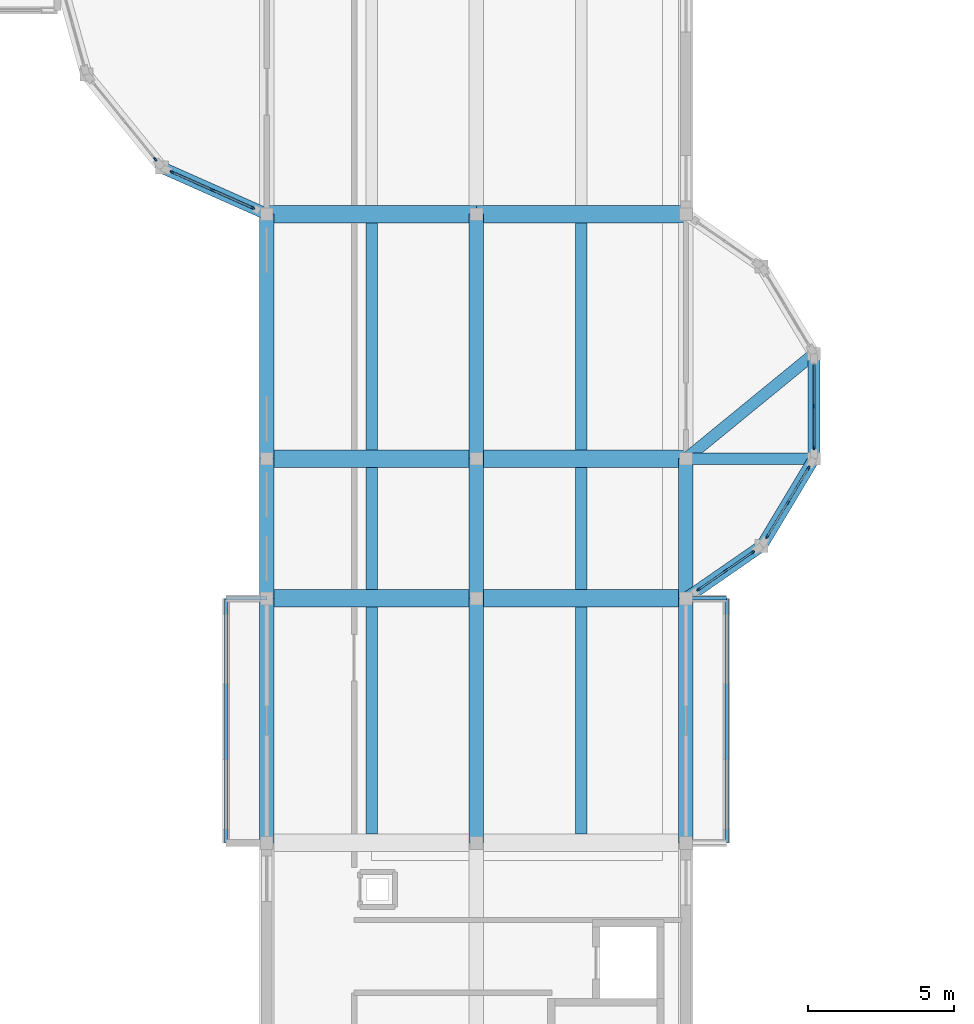
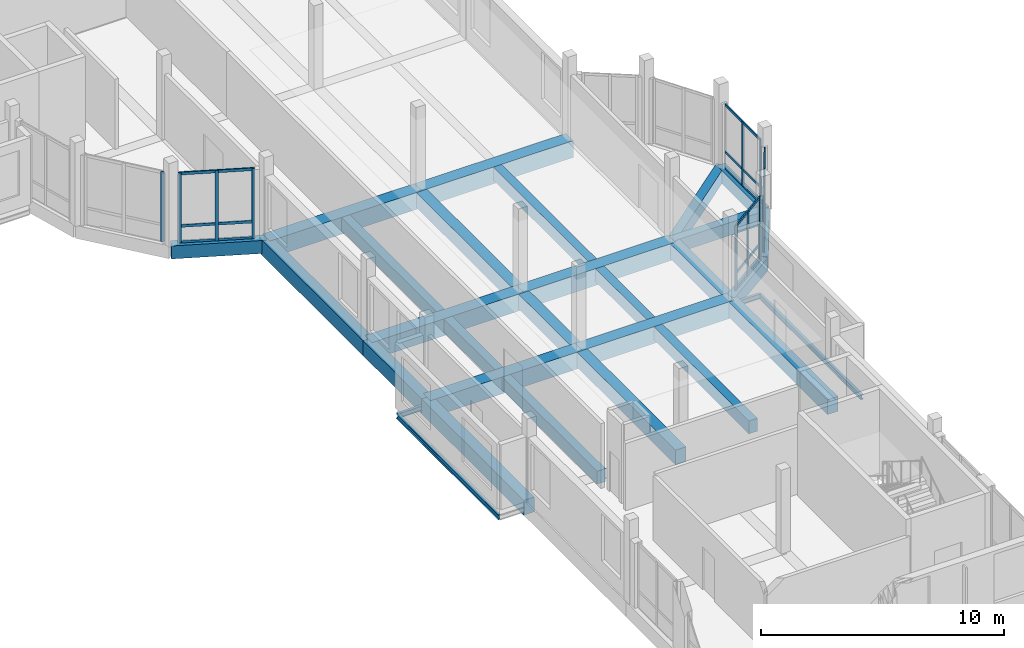
# One storey, part 38 of 99: 30 beams, 24 members, 5 elements without a shape of their own.
"""IFC4 building model written with IfcOpenShell, lengths in metres."""

import ifcopenshell
import ifcopenshell.guid

model = None  # the IFC model being written
_history = None  # IfcOwnerHistory: only IFC2X3 demands one
_inside = {}  # id of a spatial element -> (the spatial element, [elements in it])
_under = {}  # id of a project, library or spatial element -> (it, [spatial elements below it])
_declared = {}  # id of a project -> (the project, [libraries it declares])
_typed = {}  # id of a type object -> (the type object, [elements of that type])
_made_of = {}  # id of a material, layer set ... -> (it, [elements and type objects made of it])


def new_model(schema):
    """Start an empty IFC model of exactly this schema.

    Asked for "IFC4X3", IfcOpenShell would pick the latest addendum, in which some entities
    have other attributes; the version numbers below select the first issue.
    IFC2X3 requires an IfcOwnerHistory on every rooted entity: one is made here for all.
    """
    global model, _history
    if schema == "IFC4X3":
        model = ifcopenshell.file(schema_version=(4, 3, 0, 0))
    else:
        model = ifcopenshell.file(schema=schema)
    _inside.clear()
    _under.clear()
    _declared.clear()
    _typed.clear()
    _made_of.clear()
    _history = None
    if model.schema == "IFC2X3":
        org = make("IfcOrganization", Name="unknown")
        user = make(
            "IfcPersonAndOrganization",
            ThePerson=make("IfcPerson", FamilyName="unknown"),
            TheOrganization=org,
        )
        app = make(
            "IfcApplication",
            ApplicationDeveloper=org,
            Version="unknown",
            ApplicationFullName="unknown",
            ApplicationIdentifier="unknown",
        )
        _history = make(
            "IfcOwnerHistory",
            OwningUser=user,
            OwningApplication=app,
            ChangeAction="ADDED",
            CreationDate=0,
        )
    return model


def make(cls, **values):
    """One entity of the class cls with the attributes given. An attribute that is None is left unset."""
    return model.create_entity(
        cls, **{name: value for name, value in values.items() if value is not None}
    )


def rooted(cls, **values):
    """An entity with a GlobalId (a new one), such as an element, a storey or a relation."""
    return make(cls, GlobalId=ifcopenshell.guid.new(), OwnerHistory=_history, **values)


def si_unit(unit_type, name, prefix=None):
    """IfcSIUnit, for example si_unit("LENGTHUNIT", "METRE", prefix="MILLI")."""
    return make("IfcSIUnit", UnitType=unit_type, Prefix=prefix, Name=name)


def assignment(units):
    """IfcUnitAssignment: the units of a project."""
    return None if units is None else make("IfcUnitAssignment", Units=units)


def point(xyz):
    """IfcCartesianPoint."""
    return None if xyz is None else make("IfcCartesianPoint", Coordinates=xyz)


def direction(xyz):
    """IfcDirection."""
    return None if xyz is None else make("IfcDirection", DirectionRatios=xyz)


def frame(location, z_axis=None, x_axis=None):
    """IfcAxis2Placement3D, a coordinate frame: its origin and axes. An axis left out is left unset."""
    return make(
        "IfcAxis2Placement3D",
        Location=point(location),
        Axis=direction(z_axis),
        RefDirection=direction(x_axis),
    )


def frame_2d(location, x_axis=None):
    """IfcAxis2Placement2D, a coordinate frame in the plane: its origin and x axis."""
    return make(
        "IfcAxis2Placement2D", Location=point(location), RefDirection=direction(x_axis)
    )


def origin():
    """The frame at (0, 0, 0) with its axes left unset."""
    return frame((0.0, 0.0, 0.0))


def origin_2d():
    """The frame at (0, 0) in the plane with its x axis left unset."""
    return frame_2d((0.0, 0.0))


def place(relative_to, where):
    """IfcLocalPlacement: puts the frame where relative to a parent placement (None: the world)."""
    return make(
        "IfcLocalPlacement", PlacementRelTo=relative_to, RelativePlacement=where
    )


def context(
    kind, dimensions, precision=None, world=None, true_north=None, identifier=None
):
    """IfcGeometricRepresentationContext, for example the 3D "Model" context."""
    return make(
        "IfcGeometricRepresentationContext",
        ContextIdentifier=identifier,
        ContextType=kind,
        CoordinateSpaceDimension=dimensions,
        Precision=precision,
        WorldCoordinateSystem=world,
        TrueNorth=true_north,
    )


def subcontext(parent, identifier, kind, view, scale=None):
    """IfcGeometricRepresentationSubContext, for example "Body" below "Model"."""
    return make(
        "IfcGeometricRepresentationSubContext",
        ContextIdentifier=identifier,
        ContextType=kind,
        ParentContext=parent,
        TargetScale=scale,
        TargetView=view,
    )


def project(units=None, contexts=None):
    """IfcProject with its units and contexts."""
    return rooted(
        "IfcProject",
        Name="project",
        RepresentationContexts=contexts,
        UnitsInContext=assignment(units),
    )


def spatial(cls, under=None, at=None, **own):
    """A site, building, storey or space (cls), placed at a placement, below another one or the project."""
    s = rooted(cls, ObjectPlacement=at, **own)
    if under is not None:
        _under.setdefault(under.id(), (under, []))[1].append(s)
    return s


def profile(cls, at=None, kind="AREA", **sizes):
    """A parametric profile (cls). Its sizes go by their IFC names, for example OverallWidth=200.0."""
    return make(cls, ProfileType=kind, Position=at, **sizes)


def rectangle(**sizes):
    """IfcRectangleProfileDef."""
    return profile("IfcRectangleProfileDef", **sizes)


def i_section(**sizes):
    """IfcIShapeProfileDef."""
    return profile("IfcIShapeProfileDef", **sizes)


def extrude(swept, where, along, depth):
    """IfcExtrudedAreaSolid: the profile swept, set in the frame where, extruded along a direction by depth."""
    return make(
        "IfcExtrudedAreaSolid",
        SweptArea=swept,
        Position=where,
        ExtrudedDirection=direction(along),
        Depth=depth,
    )


def shape(context_of_items, identifier, shape_type, items):
    """IfcShapeRepresentation: the items that make up one representation, for example the "Body"."""
    return make(
        "IfcShapeRepresentation",
        ContextOfItems=context_of_items,
        RepresentationIdentifier=identifier,
        RepresentationType=shape_type,
        Items=items,
    )


def material(Name=None, Category=None):
    """IfcMaterial."""
    return make("IfcMaterial", Name=Name, Category=Category)


def material_profile(
    of_material, cross_section, Name=None, Category=None, Priority=None
):
    """IfcMaterialProfile: a cross section and its material."""
    return make(
        "IfcMaterialProfile",
        Name=Name,
        Material=of_material,
        Profile=cross_section,
        Priority=Priority,
        Category=Category,
    )


def profile_set(profiles, Name=None, composite=None):
    """IfcMaterialProfileSet."""
    return make(
        "IfcMaterialProfileSet",
        Name=Name,
        MaterialProfiles=profiles,
        CompositeProfile=composite,
    )


def made_of(thing, what):
    """Note that an element or type object is made of a material, layer set ...; save() writes the relation."""
    if what is not None:
        _made_of.setdefault(what.id(), (what, []))[1].append(thing)
    return thing


def type_object(cls, material=None, **own):
    """A type object (cls), such as IfcWallType, which elements share."""
    return made_of(rooted(cls, **own), material)


def element(
    cls,
    number,
    at=None,
    inside=None,
    cuts=None,
    type_object=None,
    material=None,
    context=None,
    identifier="Body",
    shape_type=None,
    held_by="IfcProductDefinitionShape",
    body=None,
    shapes=None,
    **own,
):
    """One element of the class cls, such as IfcWall. Its Tag is "e" and its number.

    at: its placement. inside: the storey or other place that contains it. cuts: it is an
    opening in that element (IfcRelVoidsElement). A single representation is given by context,
    identifier, shape_type and body (its items); several are given by shapes. held_by: the class
    of the entity that holds the representations. save() writes the other relations.
    """
    e = rooted(cls, Tag="e%d" % number, ObjectPlacement=at, **own)
    if body is not None:
        shapes = [shape(context, identifier, shape_type, body)]
    if shapes is not None:
        e.Representation = make(held_by, Representations=shapes)
    if inside is not None:
        _inside.setdefault(inside.id(), (inside, []))[1].append(e)
    if cuts is not None:
        rooted(
            "IfcRelVoidsElement", RelatingBuildingElement=cuts, RelatedOpeningElement=e
        )
    if type_object is not None:
        _typed.setdefault(type_object.id(), (type_object, []))[1].append(e)
    return made_of(e, material)


def aggregate(whole, parts):
    """IfcRelAggregates: a whole, such as a stair, and the parts it consists of."""
    return rooted("IfcRelAggregates", RelatingObject=whole, RelatedObjects=parts)


def save(model, path):
    """Write the relations noted so far, then the file.

    IfcRelAggregates (storeys below a building ...), IfcRelContainedInSpatialStructure (elements
    in a storey), IfcRelDefinesByType, IfcRelAssociatesMaterial and IfcRelDeclares: one each for
    every whole, place, type object, material and project.
    """
    for whole, parts in _under.values():
        aggregate(whole, parts)
    for where, things in _inside.values():
        rooted(
            "IfcRelContainedInSpatialStructure",
            RelatedElements=things,
            RelatingStructure=where,
        )
    for kind, things in _typed.values():
        rooted("IfcRelDefinesByType", RelatedObjects=things, RelatingType=kind)
    for what, things in _made_of.values():
        rooted("IfcRelAssociatesMaterial", RelatedObjects=things, RelatingMaterial=what)
    for by, libraries in _declared.values():
        rooted("IfcRelDeclares", RelatingContext=by, RelatedDefinitions=libraries)
    model.write(path)


model = new_model("IFC4")

# Units and contexts
model_context = context("Model", 3, precision=1e-05, world=origin(), true_north=direction((0.0, 1.0)))
body_context = subcontext(model_context, "Body", "Model", "MODEL_VIEW")
ifc_project = project(units=[si_unit("LENGTHUNIT", "METRE"), si_unit("AREAUNIT", "SQUARE_METRE"), si_unit("VOLUMEUNIT", "CUBIC_METRE"), si_unit("PLANEANGLEUNIT", "RADIAN"), si_unit("MASSUNIT", "GRAM", prefix="KILO")], contexts=[model_context])

# Site, building, storey
site_placement = place(None, origin())
site = spatial("IfcSite", under=ifc_project, at=site_placement, CompositionType="ELEMENT")
building_placement = place(site_placement, origin())
building = spatial("IfcBuilding", under=site, at=building_placement, Name="Kahlenmark Community Centre", CompositionType="ELEMENT")
storey_placement = place(building_placement, frame((0.0, 0.0, 5.39990234375)))
storey = spatial("IfcBuildingStorey", under=building, at=storey_placement, Name="L01", CompositionType="ELEMENT", Elevation=5.39990234375)

# Beams
ifc_material_1 = material(Name="Steel S355", Category="steel")
ifc_material_profile_1 = material_profile(ifc_material_1, i_section(OverallWidth=0.1201171875, OverallDepth=0.239990234375, WebThickness=0.006103515625, FlangeThickness=0.009765625, at=origin_2d()), Name="IPE 240")
ifc_profile_set_1 = profile_set([ifc_material_profile_1], Name="Steel S355")
beam_type_1 = type_object("IfcBeamType", Name="BT-BEAM-IPE240", PredefinedType="BEAM", material=ifc_profile_set_1)
for number, where, z_axis, x_axis, name in (
    (1, (86.800048828125, 76.0, -0.43994140625), (1.0, 0.0, 0.0), (0.0, 1.0, 0.0), "L01 beam BG-IPE240"),
    (2, (71.0, 76.0, -0.43994140625), (1.0, 0.0, 0.0), (0.0, 1.0, 0.0), "L01 beam BG-IPE240"),
):
    element("IfcBeam", number, at=place(storey_placement, frame(where, z_axis=z_axis, x_axis=x_axis)), inside=storey, type_object=beam_type_1, Name=name, PredefinedType="BEAM", context=body_context, shape_type="SweptSolid", body=[
        extrude(i_section(OverallWidth=0.1201171875, OverallDepth=0.239990234375, WebThickness=0.006103515625, FlangeThickness=0.009765625, at=origin_2d()), origin(), (0.0, 0.0, 1.0), 1.39990234375),
    ])
ifc_material_2 = material(Name="Concrete C35/45", Category="concrete")
ifc_material_profile_2 = material_profile(ifc_material_2, rectangle(XDim=0.39990234375, YDim=0.64990234375, at=origin_2d()), Name="RC 400x650")
ifc_profile_set_2 = profile_set([ifc_material_profile_2], Name="Concrete C35/45")
beam_type_2 = type_object("IfcBeamType", Name="BT-BEAM-RC400x650", PredefinedType="BEAM", material=ifc_profile_set_2)
beam_1_placement = place(storey_placement, frame((91.199951171875, 80.800048828125, -0.324951171875), z_axis=(-1.0, 0.0, 0.0), x_axis=(0.0, -1.0, 0.0)))
element("IfcBeam", 3, at=beam_1_placement, inside=storey, type_object=beam_type_2, Name="L01 beam BG-RC400x650", PredefinedType="BEAM", context=body_context, shape_type="SweptSolid", body=[
    extrude(rectangle(XDim=0.39990234375, YDim=0.64990234375, at=origin_2d()), origin(), (0.0, 0.0, 1.0), 4.39990234375),
])
beam_2_placement = place(storey_placement, frame((91.199951171875, 84.39990234375, -0.324951171875), z_axis=(-0.773963039406, -0.633230774389, 0.0), x_axis=(0.633230774389, -0.773963039406, 0.0)))
element("IfcBeam", 4, at=beam_2_placement, inside=storey, type_object=beam_type_2, Name="L01 beam BG-RC400x650", PredefinedType="BEAM", context=body_context, shape_type="SweptSolid", body=[
    extrude(rectangle(XDim=0.39990234375, YDim=0.64990234375, at=origin_2d()), origin(), (0.0, 0.0, 1.0), 5.684814453125),
])
ifc_material_profile_3 = material_profile(ifc_material_2, rectangle(XDim=0.5, YDim=0.75, at=origin_2d()), Name="RC 500x750")
ifc_profile_set_3 = profile_set([ifc_material_profile_3], Name="Concrete C35/45")
beam_type_3 = type_object("IfcBeamType", Name="BT-BEAM-RC500x750", PredefinedType="BEAM", material=ifc_profile_set_3)
beam_3_placement = place(storey_placement, frame((79.60009765625, 67.60009765625, -0.375), z_axis=(0.0, 1.0, 0.0), x_axis=(-1.0, 0.0, 0.0)))
element("IfcBeam", 5, at=beam_3_placement, inside=storey, type_object=beam_type_3, Name="L01 beam BG-RC500x750", PredefinedType="BEAM", context=body_context, shape_type="SweptSolid", body=[
    extrude(rectangle(XDim=0.5, YDim=0.75, at=origin_2d()), origin(), (0.0, 0.0, 1.0), 8.39990234375),
])
beam_4_placement = place(storey_placement, frame((79.60009765625, 76.0, -0.375), z_axis=(0.0, 1.0, 0.0), x_axis=(-1.0, 0.0, 0.0)))
element("IfcBeam", 6, at=beam_4_placement, inside=storey, type_object=beam_type_3, Name="L01 beam BG-RC500x750", PredefinedType="BEAM", context=body_context, shape_type="SweptSolid", body=[
    extrude(rectangle(XDim=0.5, YDim=0.75, at=origin_2d()), origin(), (0.0, 0.0, 1.0), 4.800048828125),
])
beam_5_placement = place(storey_placement, frame((79.60009765625, 80.800048828125, -0.375), z_axis=(0.0, 1.0, 0.0), x_axis=(-1.0, 0.0, 0.0)))
element("IfcBeam", 7, at=beam_5_placement, inside=storey, type_object=beam_type_3, Name="L01 beam BG-RC500x750", PredefinedType="BEAM", context=body_context, shape_type="SweptSolid", body=[
    extrude(rectangle(XDim=0.5, YDim=0.75, at=origin_2d()), origin(), (0.0, 0.0, 1.0), 8.39990234375),
])
ifc_material_profile_4 = material_profile(ifc_material_2, rectangle(XDim=0.60009765625, YDim=0.85009765625, at=origin_2d()), Name="RC 600x850")
ifc_profile_set_4 = profile_set([ifc_material_profile_4], Name="Concrete C35/45")
beam_type_4 = type_object("IfcBeamType", Name="BT-BEAM-RC600x850", PredefinedType="BEAM", material=ifc_profile_set_4)
beam_6_placement = place(storey_placement, frame((72.39990234375, 76.0, -0.4248046875), z_axis=(1.0, 0.0, 0.0), x_axis=(0.0, 1.0, 0.0)))
element("IfcBeam", 8, at=beam_6_placement, inside=storey, type_object=beam_type_4, Name="L01 beam BG-RC600x850", PredefinedType="BEAM", context=body_context, shape_type="SweptSolid", body=[
    extrude(rectangle(XDim=0.60009765625, YDim=0.85009765625, at=origin_2d()), origin(), (0.0, 0.0, 1.0), 7.2001953125),
])
beam_7_placement = place(storey_placement, frame((79.60009765625, 76.0, -0.4248046875), z_axis=(1.0, 0.0, 0.0), x_axis=(0.0, 1.0, 0.0)))
element("IfcBeam", 9, at=beam_7_placement, inside=storey, type_object=beam_type_4, Name="L01 beam BG-RC600x850", PredefinedType="BEAM", context=body_context, shape_type="SweptSolid", body=[
    extrude(rectangle(XDim=0.60009765625, YDim=0.85009765625, at=origin_2d()), origin(), (0.0, 0.0, 1.0), 7.199951171875),
])
beam_8_placement = place(storey_placement, frame((72.39990234375, 80.800048828125, -0.4248046875), z_axis=(1.0, 0.0, 0.0), x_axis=(0.0, 1.0, 0.0)))
element("IfcBeam", 10, at=beam_8_placement, inside=storey, type_object=beam_type_4, Name="L01 beam BG-RC600x850", PredefinedType="BEAM", context=body_context, shape_type="SweptSolid", body=[
    extrude(rectangle(XDim=0.60009765625, YDim=0.85009765625, at=origin_2d()), origin(), (0.0, 0.0, 1.0), 7.2001953125),
])
beam_9_placement = place(storey_placement, frame((79.60009765625, 80.800048828125, -0.4248046875), z_axis=(1.0, 0.0, 0.0), x_axis=(0.0, 1.0, 0.0)))
element("IfcBeam", 11, at=beam_9_placement, inside=storey, type_object=beam_type_4, Name="L01 beam BG-RC600x850", PredefinedType="BEAM", context=body_context, shape_type="SweptSolid", body=[
    extrude(rectangle(XDim=0.60009765625, YDim=0.85009765625, at=origin_2d()), origin(), (0.0, 0.0, 1.0), 7.199951171875),
])
beam_10_placement = place(storey_placement, frame((72.39990234375, 89.199951171875, -0.4248046875), z_axis=(1.0, 0.0, 0.0), x_axis=(0.0, 1.0, 0.0)))
element("IfcBeam", 12, at=beam_10_placement, inside=storey, type_object=beam_type_4, Name="L01 beam BG-RC600x850", PredefinedType="BEAM", context=body_context, shape_type="SweptSolid", body=[
    extrude(rectangle(XDim=0.60009765625, YDim=0.85009765625, at=origin_2d()), origin(), (0.0, 0.0, 1.0), 7.2001953125),
])
beam_11_placement = place(storey_placement, frame((79.60009765625, 89.199951171875, -0.4248046875), z_axis=(1.0, 0.0, 0.0), x_axis=(0.0, 1.0, 0.0)))
element("IfcBeam", 13, at=beam_11_placement, inside=storey, type_object=beam_type_4, Name="L01 beam BG-RC600x850", PredefinedType="BEAM", context=body_context, shape_type="SweptSolid", body=[
    extrude(rectangle(XDim=0.60009765625, YDim=0.85009765625, at=origin_2d()), origin(), (0.0, 0.0, 1.0), 7.199951171875),
])
ifc_material_profile_5 = material_profile(ifc_material_2, rectangle(XDim=0.39990234375, YDim=0.64990234375, at=origin_2d()), Name="RC 400x650")
ifc_profile_set_5 = profile_set([ifc_material_profile_5], Name="Concrete C35/45")
beam_type_5 = type_object("IfcBeamType", Name="BT-JOIST-RC400x650", PredefinedType="JOIST", material=ifc_profile_set_5)
beam_12_placement = place(storey_placement, frame((76.0, 67.89794921875, -0.324951171875), z_axis=(0.0, 1.0, 0.0), x_axis=(-1.0, 0.0, 0.0)))
element("IfcBeam", 14, at=beam_12_placement, inside=storey, type_object=beam_type_5, Name="L01 joist BJ-RC400x650", PredefinedType="JOIST", context=body_context, shape_type="SweptSolid", body=[
    extrude(rectangle(XDim=0.39990234375, YDim=0.64990234375, at=origin_2d()), origin(), (0.0, 0.0, 1.0), 7.803955078125),
])
beam_13_placement = place(storey_placement, frame((76.0, 76.298095703125, -0.324951171875), z_axis=(0.0, 1.0, 0.0), x_axis=(-1.0, 0.0, 0.0)))
element("IfcBeam", 15, at=beam_13_placement, inside=storey, type_object=beam_type_5, Name="L01 joist BJ-RC400x650", PredefinedType="JOIST", context=body_context, shape_type="SweptSolid", body=[
    extrude(rectangle(XDim=0.39990234375, YDim=0.64990234375, at=origin_2d()), origin(), (0.0, 0.0, 1.0), 4.203857421875),
])
beam_14_placement = place(storey_placement, frame((76.0, 81.097900390625, -0.324951171875), z_axis=(0.0, 1.0, 0.0), x_axis=(-1.0, 0.0, 0.0)))
element("IfcBeam", 16, at=beam_14_placement, inside=storey, type_object=beam_type_5, Name="L01 joist BJ-RC400x650", PredefinedType="JOIST", context=body_context, shape_type="SweptSolid", body=[
    extrude(rectangle(XDim=0.39990234375, YDim=0.64990234375, at=origin_2d()), origin(), (0.0, 0.0, 1.0), 7.80419921875),
])
beam_15_placement = place(storey_placement, frame((83.199951171875, 67.89794921875, -0.324951171875), z_axis=(0.0, 1.0, 0.0), x_axis=(-1.0, 0.0, 0.0)))
element("IfcBeam", 17, at=beam_15_placement, inside=storey, type_object=beam_type_5, Name="L01 joist BJ-RC400x650", PredefinedType="JOIST", context=body_context, shape_type="SweptSolid", body=[
    extrude(rectangle(XDim=0.39990234375, YDim=0.64990234375, at=origin_2d()), origin(), (0.0, 0.0, 1.0), 7.803955078125),
])
beam_16_placement = place(storey_placement, frame((83.199951171875, 76.298095703125, -0.324951171875), z_axis=(0.0, 1.0, 0.0), x_axis=(-1.0, 0.0, 0.0)))
element("IfcBeam", 18, at=beam_16_placement, inside=storey, type_object=beam_type_5, Name="L01 joist BJ-RC400x650", PredefinedType="JOIST", context=body_context, shape_type="SweptSolid", body=[
    extrude(rectangle(XDim=0.39990234375, YDim=0.64990234375, at=origin_2d()), origin(), (0.0, 0.0, 1.0), 4.203857421875),
])
beam_17_placement = place(storey_placement, frame((83.199951171875, 81.097900390625, -0.324951171875), z_axis=(0.0, 1.0, 0.0), x_axis=(-1.0, 0.0, 0.0)))
element("IfcBeam", 19, at=beam_17_placement, inside=storey, type_object=beam_type_5, Name="L01 joist BJ-RC400x650", PredefinedType="JOIST", context=body_context, shape_type="SweptSolid", body=[
    extrude(rectangle(XDim=0.39990234375, YDim=0.64990234375, at=origin_2d()), origin(), (0.0, 0.0, 1.0), 7.80419921875),
])
ifc_material_profile_6 = material_profile(ifc_material_1, i_section(OverallWidth=0.1201171875, OverallDepth=0.239990234375, WebThickness=0.006103515625, FlangeThickness=0.009765625, at=origin_2d()), Name="IPE 240")
ifc_profile_set_6 = profile_set([ifc_material_profile_6], Name="Steel S355")
beam_type_6 = type_object("IfcBeamType", Name="BT-SPANDREL-IPE240", PredefinedType="SPANDREL", material=ifc_profile_set_6)
for number, where, z_axis, x_axis, name in (
    (20, (88.199951171875, 67.60009765625, -0.43994140625), (0.0, 1.0, 0.0), (-1.0, 0.0, 0.0), "L01 spandrel SP-IPE240"),
    (21, (71.0, 67.60009765625, -0.43994140625), (0.0, 1.0, 0.0), (-1.0, 0.0, 0.0), "L01 spandrel SP-IPE240"),
):
    element("IfcBeam", number, at=place(storey_placement, frame(where, z_axis=z_axis, x_axis=x_axis)), inside=storey, type_object=beam_type_6, Name=name, PredefinedType="SPANDREL", context=body_context, shape_type="SweptSolid", body=[
        extrude(i_section(OverallWidth=0.1201171875, OverallDepth=0.239990234375, WebThickness=0.006103515625, FlangeThickness=0.009765625, at=origin_2d()), origin(), (0.0, 0.0, 1.0), 8.39990234375),
    ])
ifc_material_profile_7 = material_profile(ifc_material_2, rectangle(XDim=0.39990234375, YDim=0.64990234375, at=origin_2d()), Name="RC 400x650")
ifc_profile_set_7 = profile_set([ifc_material_profile_7], Name="Concrete C35/45")
beam_type_7 = type_object("IfcBeamType", Name="BT-SPANDREL-RC400x650", PredefinedType="SPANDREL", material=ifc_profile_set_7)
beam_18_placement = place(storey_placement, frame((86.800048828125, 76.0, -0.324951171875), z_axis=(0.8221699556, 0.569242096219, 0.0), x_axis=(-0.569242096219, 0.8221699556, 0.0)))
element("IfcBeam", 22, at=beam_18_placement, inside=storey, type_object=beam_type_7, Name="L01 spandrel SP-RC400x650", PredefinedType="SPANDREL", context=body_context, shape_type="SweptSolid", body=[
    extrude(rectangle(XDim=0.39990234375, YDim=0.64990234375, at=origin_2d()), origin(), (0.0, 0.0, 1.0), 3.162109375),
])
beam_19_placement = place(storey_placement, frame((89.39990234375, 77.800048828125, -0.324951171875), z_axis=(0.514506017516, 0.857486768376, 0.0), x_axis=(-0.857486768376, 0.514506017516, 0.0)))
element("IfcBeam", 23, at=beam_19_placement, inside=storey, type_object=beam_type_7, Name="L01 spandrel SP-RC400x650", PredefinedType="SPANDREL", context=body_context, shape_type="SweptSolid", body=[
    extrude(rectangle(XDim=0.39990234375, YDim=0.64990234375, at=origin_2d()), origin(), (0.0, 0.0, 1.0), 3.49853515625),
])
beam_20_placement = place(storey_placement, frame((91.199951171875, 80.800048828125, -0.324951171875), z_axis=(0.0, 1.0, 0.0), x_axis=(-1.0, 0.0, 0.0)))
element("IfcBeam", 24, at=beam_20_placement, inside=storey, type_object=beam_type_7, Name="L01 spandrel SP-RC400x650", PredefinedType="SPANDREL", context=body_context, shape_type="SweptSolid", body=[
    extrude(rectangle(XDim=0.39990234375, YDim=0.64990234375, at=origin_2d()), origin(), (0.0, 0.0, 1.0), 3.599853515625),
])
beam_21_placement = place(storey_placement, frame((68.800048828125, 90.800048828125, -0.324951171875), z_axis=(0.913796214371, -0.40617296636, 0.0), x_axis=(0.40617296636, 0.913796214371, 0.0)))
element("IfcBeam", 25, at=beam_21_placement, inside=storey, type_object=beam_type_7, Name="L01 spandrel SP-RC400x650", PredefinedType="SPANDREL", context=body_context, shape_type="SweptSolid", body=[
    extrude(rectangle(XDim=0.39990234375, YDim=0.64990234375, at=origin_2d()), origin(), (0.0, 0.0, 1.0), 3.939453125),
])
ifc_material_profile_8 = material_profile(ifc_material_2, rectangle(XDim=0.5, YDim=0.75, at=origin_2d()), Name="RC 500x750")
ifc_profile_set_8 = profile_set([ifc_material_profile_8], Name="Concrete C35/45")
beam_type_8 = type_object("IfcBeamType", Name="BT-SPANDREL-RC500x750", PredefinedType="SPANDREL", material=ifc_profile_set_8)
beam_22_placement = place(storey_placement, frame((72.39990234375, 67.60009765625, -0.375), z_axis=(0.0, 1.0, 0.0), x_axis=(-1.0, 0.0, 0.0)))
element("IfcBeam", 26, at=beam_22_placement, inside=storey, type_object=beam_type_8, Name="L01 spandrel SP-RC500x750", PredefinedType="SPANDREL", context=body_context, shape_type="SweptSolid", body=[
    extrude(rectangle(XDim=0.5, YDim=0.75, at=origin_2d()), origin(), (0.0, 0.0, 1.0), 8.39990234375),
])
beam_23_placement = place(storey_placement, frame((72.39990234375, 76.0, -0.375), z_axis=(0.0, 1.0, 0.0), x_axis=(-1.0, 0.0, 0.0)))
element("IfcBeam", 27, at=beam_23_placement, inside=storey, type_object=beam_type_8, Name="L01 spandrel SP-RC500x750", PredefinedType="SPANDREL", context=body_context, shape_type="SweptSolid", body=[
    extrude(rectangle(XDim=0.5, YDim=0.75, at=origin_2d()), origin(), (0.0, 0.0, 1.0), 4.800048828125),
])
for number, where, z_axis, x_axis, name in (
    (28, (72.39990234375, 80.800048828125, -0.375), (0.0, 1.0, 0.0), (-1.0, 0.0, 0.0), "L01 spandrel SP-RC500x750"),
    (29, (86.800048828125, 67.60009765625, -0.375), (0.0, 1.0, 0.0), (-1.0, 0.0, 0.0), "L01 spandrel SP-RC500x750"),
):
    element("IfcBeam", number, at=place(storey_placement, frame(where, z_axis=z_axis, x_axis=x_axis)), inside=storey, type_object=beam_type_8, Name=name, PredefinedType="SPANDREL", context=body_context, shape_type="SweptSolid", body=[
        extrude(rectangle(XDim=0.5, YDim=0.75, at=origin_2d()), origin(), (0.0, 0.0, 1.0), 8.39990234375),
    ])
beam_24_placement = place(storey_placement, frame((86.800048828125, 76.0, -0.375), z_axis=(0.0, 1.0, 0.0), x_axis=(-1.0, 0.0, 0.0)))
element("IfcBeam", 30, at=beam_24_placement, inside=storey, type_object=beam_type_8, Name="L01 spandrel SP-RC500x750", PredefinedType="SPANDREL", context=body_context, shape_type="SweptSolid", body=[
    extrude(rectangle(XDim=0.5, YDim=0.75, at=origin_2d()), origin(), (0.0, 0.0, 1.0), 4.800048828125),
])

# Curtain wall, members
ifc_material_3 = material(Name="Anodised aluminium unitised curtain wall", Category="aluminium")
curtain_wall_type_1 = type_object("IfcCurtainWallType", Name="CWT-UNIT-232X325", PredefinedType="USERDEFINED", material=ifc_material_3)
curtain_wall_1_placement = place(storey_placement, origin())
curtain_wall_1 = element("IfcCurtainWall", 31, at=curtain_wall_1_placement, inside=storey, type_object=curtain_wall_type_1, Name="Unitised curtain wall CW-151", ObjectType="UNITISED CURTAIN WALL", PredefinedType="USERDEFINED")
ifc_material_4 = material(Name="Anodised aluminium 6063-T6", Category="aluminium")
ifc_material_profile_9 = material_profile(ifc_material_4, rectangle(XDim=0.06005859375, YDim=0.139892578125, at=origin_2d()), Name="ALU MULLION 60x140")
ifc_profile_set_9 = profile_set([ifc_material_profile_9], Name="Anodised aluminium 6063-T6")
member_type_1 = type_object("IfcMemberType", Name="MT-MUL-140", PredefinedType="MULLION", material=ifc_profile_set_9)
member_1_placement = place(storey_placement, frame((87.23583984375, 76.3017578125, 0.0), z_axis=(0.0, 0.0, 1.0), x_axis=(-0.56921208065, 0.822190736534, 0.0)))
member_1 = element("IfcMember", 32, at=member_1_placement, type_object=member_type_1, Name="CW-151 mullion 1", PredefinedType="MULLION", context=body_context, shape_type="SweptSolid", body=[
    extrude(rectangle(XDim=0.06005859375, YDim=0.139892578125, at=origin_2d()), origin(), (0.0, 0.0, 1.0), 3.25),
])
member_2_placement = place(storey_placement, frame((88.165771484375, 76.945556640625, 0.0), z_axis=(0.0, 0.0, 1.0), x_axis=(-0.56921208065, 0.822190736534, 0.0)))
member_2 = element("IfcMember", 33, at=member_2_placement, type_object=member_type_1, Name="CW-151 mullion 2", PredefinedType="MULLION", context=body_context, shape_type="SweptSolid", body=[
    extrude(rectangle(XDim=0.06005859375, YDim=0.139892578125, at=origin_2d()), origin(), (0.0, 0.0, 1.0), 3.25),
])
member_3_placement = place(storey_placement, frame((89.095703125, 77.58935546875, 0.0), z_axis=(0.0, 0.0, 1.0), x_axis=(-0.56921208065, 0.822190736534, 0.0)))
member_3 = element("IfcMember", 34, at=member_3_placement, type_object=member_type_1, Name="CW-151 mullion 3", PredefinedType="MULLION", context=body_context, shape_type="SweptSolid", body=[
    extrude(rectangle(XDim=0.06005859375, YDim=0.139892578125, at=origin_2d()), origin(), (0.0, 0.0, 1.0), 3.25),
])

curtain_wall_type_2 = type_object("IfcCurtainWallType", Name="CWT-UNIT-282X325", PredefinedType="USERDEFINED", material=ifc_material_3)
curtain_wall_2_placement = place(storey_placement, origin())
curtain_wall_2 = element("IfcCurtainWall", 35, at=curtain_wall_2_placement, inside=storey, type_object=curtain_wall_type_2, Name="Unitised curtain wall CW-152", ObjectType="UNITISED CURTAIN WALL", PredefinedType="USERDEFINED")
member_4_placement = place(storey_placement, frame((89.59033203125, 78.1171875, 0.0), z_axis=(0.0, 0.0, 1.0), x_axis=(-0.857492535386, 0.514496405972, 0.0)))
member_4 = element("IfcMember", 36, at=member_4_placement, type_object=member_type_1, Name="CW-152 mullion 1", PredefinedType="MULLION", context=body_context, shape_type="SweptSolid", body=[
    extrude(rectangle(XDim=0.06005859375, YDim=0.139892578125, at=origin_2d()), origin(), (0.0, 0.0, 1.0), 3.25),
])
member_5_placement = place(storey_placement, frame((90.300048828125, 79.300048828125, 0.0), z_axis=(0.0, 0.0, 1.0), x_axis=(-0.857492535386, 0.514496405972, 0.0)))
member_5 = element("IfcMember", 37, at=member_5_placement, type_object=member_type_1, Name="CW-152 mullion 2", PredefinedType="MULLION", context=body_context, shape_type="SweptSolid", body=[
    extrude(rectangle(XDim=0.06005859375, YDim=0.139892578125, at=origin_2d()), origin(), (0.0, 0.0, 1.0), 3.25),
])
member_6_placement = place(storey_placement, frame((91.009765625, 80.48291015625, 0.0), z_axis=(0.0, 0.0, 1.0), x_axis=(-0.857492535386, 0.514496405972, 0.0)))
member_6 = element("IfcMember", 38, at=member_6_placement, type_object=member_type_1, Name="CW-152 mullion 3", PredefinedType="MULLION", context=body_context, shape_type="SweptSolid", body=[
    extrude(rectangle(XDim=0.06005859375, YDim=0.139892578125, at=origin_2d()), origin(), (0.0, 0.0, 1.0), 3.25),
])

curtain_wall_type_3 = type_object("IfcCurtainWallType", Name="CWT-UNIT-292X325", PredefinedType="USERDEFINED", material=ifc_material_3)
curtain_wall_3_placement = place(storey_placement, origin())
curtain_wall_3 = element("IfcCurtainWall", 39, at=curtain_wall_3_placement, inside=storey, type_object=curtain_wall_type_3, Name="Unitised curtain wall CW-153", ObjectType="UNITISED CURTAIN WALL", PredefinedType="USERDEFINED")
member_7_placement = place(storey_placement, frame((91.199951171875, 81.169921875, 0.0), z_axis=(0.0, 0.0, 1.0), x_axis=(-1.0, 0.0, 0.0)))
member_7 = element("IfcMember", 40, at=member_7_placement, type_object=member_type_1, Name="CW-153 mullion 1", PredefinedType="MULLION", context=body_context, shape_type="SweptSolid", body=[
    extrude(rectangle(XDim=0.06005859375, YDim=0.139892578125, at=origin_2d()), origin(), (0.0, 0.0, 1.0), 3.25),
])
member_8_placement = place(storey_placement, frame((91.199951171875, 82.60009765625, 0.0), z_axis=(0.0, 0.0, 1.0), x_axis=(-1.0, 0.0, 0.0)))
member_8 = element("IfcMember", 41, at=member_8_placement, type_object=member_type_1, Name="CW-153 mullion 2", PredefinedType="MULLION", context=body_context, shape_type="SweptSolid", body=[
    extrude(rectangle(XDim=0.06005859375, YDim=0.139892578125, at=origin_2d()), origin(), (0.0, 0.0, 1.0), 3.25),
])

# Curtain wall, member
curtain_wall_type_4 = type_object("IfcCurtainWallType", Name="CWT-UNIT-344X352", PredefinedType="USERDEFINED", material=ifc_material_3)
curtain_wall_4_placement = place(storey_placement, origin())
curtain_wall_4 = element("IfcCurtainWall", 42, at=curtain_wall_4_placement, inside=storey, type_object=curtain_wall_type_4, Name="Unitised curtain wall CW-177", ObjectType="UNITISED CURTAIN WALL", PredefinedType="USERDEFINED")
member_9_placement = place(storey_placement, frame((68.566650390625, 91.087158203125, 0.0), z_axis=(0.0, 0.0, 1.0), x_axis=(0.776109145231, 0.63059860029, 0.0)))
member_9 = element("IfcMember", 43, at=member_9_placement, type_object=member_type_1, Name="CW-177 mullion 3", PredefinedType="MULLION", context=body_context, shape_type="SweptSolid", body=[
    extrude(rectangle(XDim=0.06005859375, YDim=0.139892578125, at=origin_2d()), origin(), (0.0, 0.0, 1.0), 3.52001953125),
])
aggregate(curtain_wall_4, [member_9])

# Curtain wall, members
curtain_wall_type_5 = type_object("IfcCurtainWallType", Name="CWT-UNIT-310X352", PredefinedType="USERDEFINED", material=ifc_material_3)
curtain_wall_5_placement = place(storey_placement, origin())
curtain_wall_5 = element("IfcCurtainWall", 44, at=curtain_wall_5_placement, inside=storey, type_object=curtain_wall_type_5, Name="Unitised curtain wall CW-178", ObjectType="UNITISED CURTAIN WALL", PredefinedType="USERDEFINED")
member_10_placement = place(storey_placement, frame((69.13818359375, 90.649658203125, 0.0), z_axis=(0.0, 0.0, 1.0), x_axis=(0.406125882643, 0.913817141143, 0.0)))
member_10 = element("IfcMember", 45, at=member_10_placement, type_object=member_type_1, Name="CW-178 mullion 1", PredefinedType="MULLION", context=body_context, shape_type="SweptSolid", body=[
    extrude(rectangle(XDim=0.06005859375, YDim=0.139892578125, at=origin_2d()), origin(), (0.0, 0.0, 1.0), 3.52001953125),
])
member_11_placement = place(storey_placement, frame((70.52685546875, 90.032470703125, 0.0), z_axis=(0.0, 0.0, 1.0), x_axis=(0.406125882643, 0.913817141143, 0.0)))
member_11 = element("IfcMember", 46, at=member_11_placement, type_object=member_type_1, Name="CW-178 mullion 2", PredefinedType="MULLION", context=body_context, shape_type="SweptSolid", body=[
    extrude(rectangle(XDim=0.06005859375, YDim=0.139892578125, at=origin_2d()), origin(), (0.0, 0.0, 1.0), 3.52001953125),
])
member_12_placement = place(storey_placement, frame((71.915771484375, 89.415283203125, 0.0), z_axis=(0.0, 0.0, 1.0), x_axis=(0.406125882643, 0.913817141143, 0.0)))
member_12 = element("IfcMember", 47, at=member_12_placement, type_object=member_type_1, Name="CW-178 mullion 3", PredefinedType="MULLION", context=body_context, shape_type="SweptSolid", body=[
    extrude(rectangle(XDim=0.06005859375, YDim=0.139892578125, at=origin_2d()), origin(), (0.0, 0.0, 1.0), 3.52001953125),
])

# Member
ifc_material_profile_10 = material_profile(ifc_material_4, rectangle(XDim=0.06005859375, YDim=0.1201171875, at=origin_2d()), Name="ALU TRANSOM 60x120")
ifc_profile_set_10 = profile_set([ifc_material_profile_10], Name="Anodised aluminium 6063-T6")
member_type_2 = type_object("IfcMemberType", Name="MT-TRN-120", PredefinedType="USERDEFINED", material=ifc_profile_set_10)
member_13_placement = place(storey_placement, frame((87.23583984375, 76.3017578125, 0.0400390625), z_axis=(0.822192191644, 0.56920997883, 0.0), x_axis=(-0.56920997883, 0.822192191644, 0.0)))
member_13 = element("IfcMember", 48, at=member_13_placement, type_object=member_type_2, Name="CW-151 transom 1", ObjectType="TRANSOM", PredefinedType="USERDEFINED", context=body_context, shape_type="SweptSolid", body=[
    extrude(rectangle(XDim=0.06005859375, YDim=0.1201171875, at=origin_2d()), origin(), (0.0, 0.0, 1.0), 2.261962890625),
])

member_14_placement = place(storey_placement, frame((87.23583984375, 76.3017578125, 0.85009765625), z_axis=(0.822192191644, 0.56920997883, 0.0), x_axis=(-0.56920997883, 0.822192191644, 0.0)))
member_14 = element("IfcMember", 49, at=member_14_placement, type_object=member_type_2, Name="CW-151 transom 2", ObjectType="TRANSOM", PredefinedType="USERDEFINED", context=body_context, shape_type="SweptSolid", body=[
    extrude(rectangle(XDim=0.06005859375, YDim=0.1201171875, at=origin_2d()), origin(), (0.0, 0.0, 1.0), 2.261962890625),
])

member_15_placement = place(storey_placement, frame((87.23583984375, 76.3017578125, 3.210205078125), z_axis=(0.822192191644, 0.56920997883, 0.0), x_axis=(-0.56920997883, 0.822192191644, 0.0)))
member_15 = element("IfcMember", 50, at=member_15_placement, type_object=member_type_2, Name="CW-151 transom 3", ObjectType="TRANSOM", PredefinedType="USERDEFINED", context=body_context, shape_type="SweptSolid", body=[
    extrude(rectangle(XDim=0.06005859375, YDim=0.1201171875, at=origin_2d()), origin(), (0.0, 0.0, 1.0), 2.261962890625),
])

aggregate(curtain_wall_1, [member_1, member_2, member_3, member_13, member_14, member_15])

member_16_placement = place(storey_placement, frame((89.59033203125, 78.1171875, 0.0400390625), z_axis=(0.514495755428, 0.857492925713, 0.0), x_axis=(-0.857492925713, 0.514495755428, 0.0)))
member_16 = element("IfcMember", 51, at=member_16_placement, type_object=member_type_2, Name="CW-152 transom 1", ObjectType="TRANSOM", PredefinedType="USERDEFINED", context=body_context, shape_type="SweptSolid", body=[
    extrude(rectangle(XDim=0.06005859375, YDim=0.1201171875, at=origin_2d()), origin(), (0.0, 0.0, 1.0), 2.7587890625),
])

member_17_placement = place(storey_placement, frame((89.59033203125, 78.1171875, 0.85009765625), z_axis=(0.514495755428, 0.857492925713, 0.0), x_axis=(-0.857492925713, 0.514495755428, 0.0)))
member_17 = element("IfcMember", 52, at=member_17_placement, type_object=member_type_2, Name="CW-152 transom 2", ObjectType="TRANSOM", PredefinedType="USERDEFINED", context=body_context, shape_type="SweptSolid", body=[
    extrude(rectangle(XDim=0.06005859375, YDim=0.1201171875, at=origin_2d()), origin(), (0.0, 0.0, 1.0), 2.7587890625),
])

member_18_placement = place(storey_placement, frame((89.59033203125, 78.1171875, 3.210205078125), z_axis=(0.514495755428, 0.857492925713, 0.0), x_axis=(-0.857492925713, 0.514495755428, 0.0)))
member_18 = element("IfcMember", 53, at=member_18_placement, type_object=member_type_2, Name="CW-152 transom 3", ObjectType="TRANSOM", PredefinedType="USERDEFINED", context=body_context, shape_type="SweptSolid", body=[
    extrude(rectangle(XDim=0.06005859375, YDim=0.1201171875, at=origin_2d()), origin(), (0.0, 0.0, 1.0), 2.7587890625),
])

aggregate(curtain_wall_2, [member_4, member_5, member_6, member_16, member_17, member_18])

member_19_placement = place(storey_placement, frame((91.199951171875, 81.169921875, 0.0400390625), z_axis=(0.0, 1.0, 0.0), x_axis=(-1.0, 0.0, 0.0)))
member_19 = element("IfcMember", 54, at=member_19_placement, type_object=member_type_2, Name="CW-153 transom 1", ObjectType="TRANSOM", PredefinedType="USERDEFINED", context=body_context, shape_type="SweptSolid", body=[
    extrude(rectangle(XDim=0.06005859375, YDim=0.1201171875, at=origin_2d()), origin(), (0.0, 0.0, 1.0), 2.860107421875),
])

member_20_placement = place(storey_placement, frame((91.199951171875, 81.169921875, 0.85009765625), z_axis=(0.0, 1.0, 0.0), x_axis=(-1.0, 0.0, 0.0)))
member_20 = element("IfcMember", 55, at=member_20_placement, type_object=member_type_2, Name="CW-153 transom 2", ObjectType="TRANSOM", PredefinedType="USERDEFINED", context=body_context, shape_type="SweptSolid", body=[
    extrude(rectangle(XDim=0.06005859375, YDim=0.1201171875, at=origin_2d()), origin(), (0.0, 0.0, 1.0), 2.860107421875),
])

member_21_placement = place(storey_placement, frame((91.199951171875, 81.169921875, 3.210205078125), z_axis=(0.0, 1.0, 0.0), x_axis=(-1.0, 0.0, 0.0)))
member_21 = element("IfcMember", 56, at=member_21_placement, type_object=member_type_2, Name="CW-153 transom 3", ObjectType="TRANSOM", PredefinedType="USERDEFINED", context=body_context, shape_type="SweptSolid", body=[
    extrude(rectangle(XDim=0.06005859375, YDim=0.1201171875, at=origin_2d()), origin(), (0.0, 0.0, 1.0), 2.860107421875),
])

aggregate(curtain_wall_3, [member_7, member_8, member_19, member_20, member_21])

ifc_material_profile_11 = material_profile(ifc_material_4, rectangle(XDim=0.06005859375, YDim=0.139892578125, at=origin_2d()), Name="ALU TRANSOM 60x140")
ifc_profile_set_11 = profile_set([ifc_material_profile_11], Name="Anodised aluminium 6063-T6")
member_type_3 = type_object("IfcMemberType", Name="MT-TRN-140", PredefinedType="USERDEFINED", material=ifc_profile_set_11)
member_22_placement = place(storey_placement, frame((69.13818359375, 90.649658203125, 0.0400390625), z_axis=(0.913824797144, -0.406108655565, 0.0), x_axis=(0.406108655565, 0.913824797144, 0.0)))
member_22 = element("IfcMember", 57, at=member_22_placement, type_object=member_type_3, Name="CW-178 transom 1", ObjectType="TRANSOM", PredefinedType="USERDEFINED", context=body_context, shape_type="SweptSolid", body=[
    extrude(rectangle(XDim=0.06005859375, YDim=0.139892578125, at=origin_2d()), origin(), (0.0, 0.0, 1.0), 3.03955078125),
])

member_23_placement = place(storey_placement, frame((69.13818359375, 90.649658203125, 0.85009765625), z_axis=(0.913824797144, -0.406108655565, 0.0), x_axis=(0.406108655565, 0.913824797144, 0.0)))
member_23 = element("IfcMember", 58, at=member_23_placement, type_object=member_type_3, Name="CW-178 transom 2", ObjectType="TRANSOM", PredefinedType="USERDEFINED", context=body_context, shape_type="SweptSolid", body=[
    extrude(rectangle(XDim=0.06005859375, YDim=0.139892578125, at=origin_2d()), origin(), (0.0, 0.0, 1.0), 3.03955078125),
])

member_24_placement = place(storey_placement, frame((69.13818359375, 90.649658203125, 3.47998046875), z_axis=(0.913824797144, -0.406108655565, 0.0), x_axis=(0.406108655565, 0.913824797144, 0.0)))
member_24 = element("IfcMember", 59, at=member_24_placement, type_object=member_type_3, Name="CW-178 transom 3", ObjectType="TRANSOM", PredefinedType="USERDEFINED", context=body_context, shape_type="SweptSolid", body=[
    extrude(rectangle(XDim=0.06005859375, YDim=0.139892578125, at=origin_2d()), origin(), (0.0, 0.0, 1.0), 3.03955078125),
])

aggregate(curtain_wall_5, [member_10, member_11, member_12, member_22, member_23, member_24])

save(model, "model.ifc")
